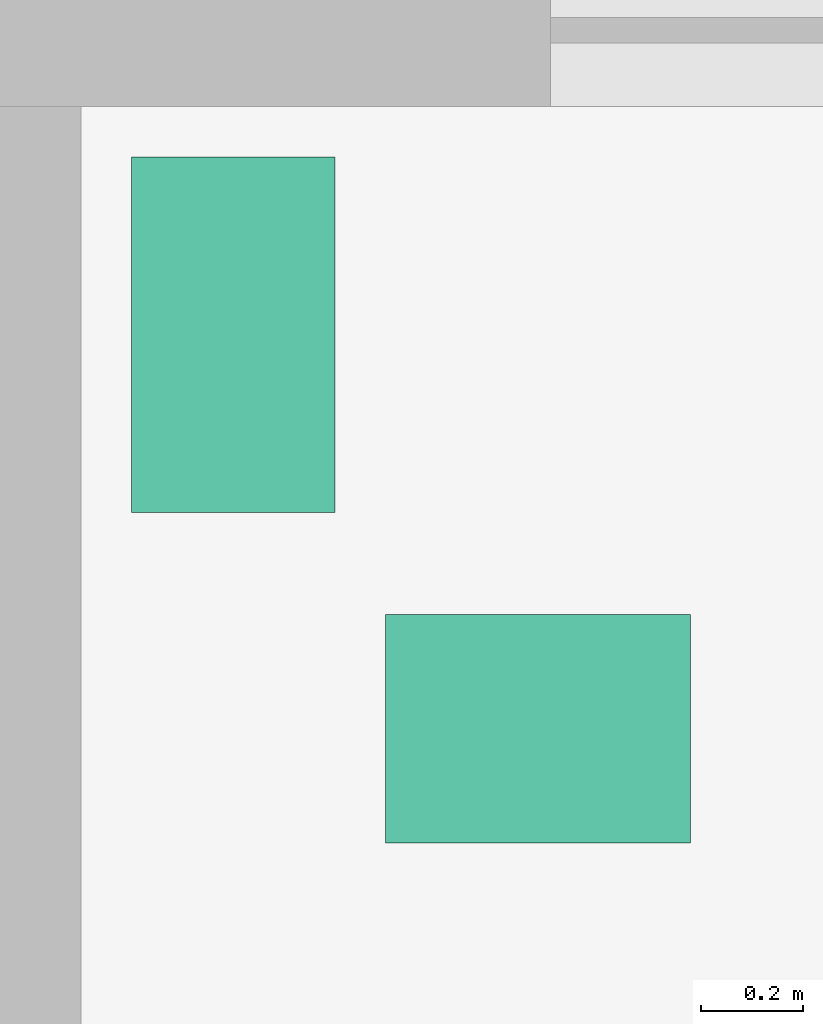
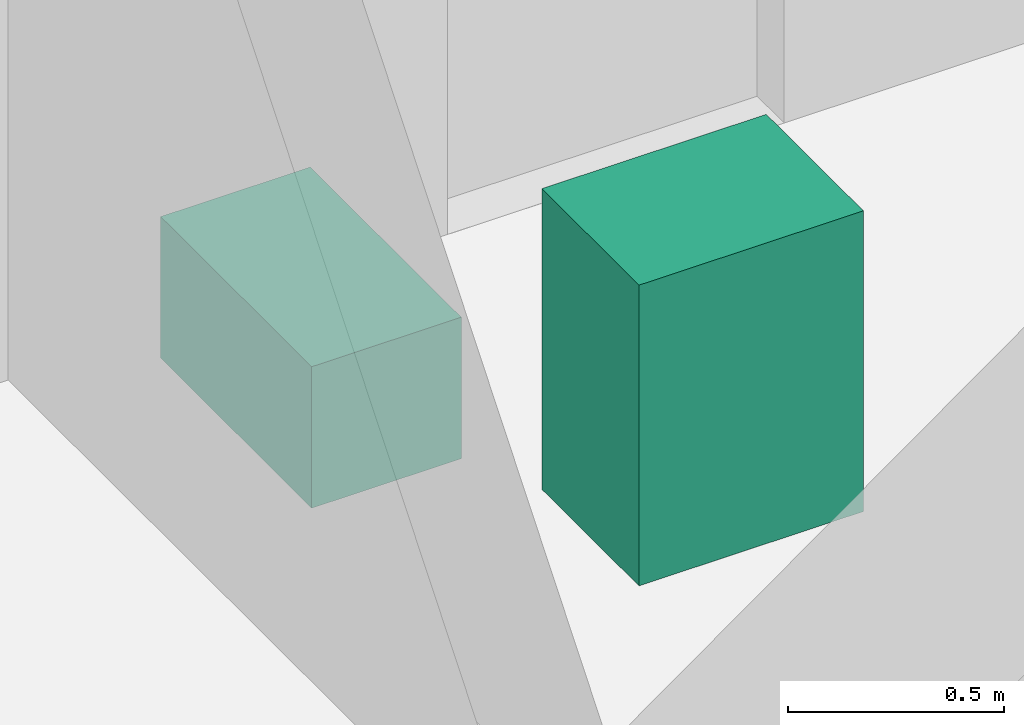
# One storey, part 12 of 12: 2 sanitary terminals.
"""IFC4 building model written with IfcOpenShell, lengths in metres."""

from ifc_helpers import new_model, si_unit, direction, frame, origin, origin_2d, place, context, subcontext, project, spatial, rectangle, extrude, element, save


model = new_model("IFC4")

# Units and contexts
model_context = context("Model", 3, precision=1e-05, world=origin(), true_north=direction((0.0, 1.0)))
body_context = subcontext(model_context, "Body", "Model", "MODEL_VIEW")
ifc_project = project(units=[si_unit("LENGTHUNIT", "METRE"), si_unit("AREAUNIT", "SQUARE_METRE"), si_unit("VOLUMEUNIT", "CUBIC_METRE"), si_unit("PLANEANGLEUNIT", "RADIAN"), si_unit("MASSUNIT", "GRAM", prefix="KILO")], contexts=[model_context])

# Site, building, storey
site_placement = place(None, origin())
site = spatial("IfcSite", under=ifc_project, at=site_placement, CompositionType="ELEMENT")
building_placement = place(site_placement, origin())
building = spatial("IfcBuilding", under=site, at=building_placement, Name="Hankou Lantern Tower", CompositionType="ELEMENT")
storey_placement = place(building_placement, frame((0.0, 0.0, 222.60009765625)))
storey = spatial("IfcBuildingStorey", under=building, at=storey_placement, Name="L60", CompositionType="ELEMENT", Elevation=222.60009765625)

# Sanitary terminals
sanitary_terminal_1_placement = place(storey_placement, frame((-2.574951171875, -2.199951171875, 0.0), z_axis=(0.0, 0.0, 1.0), x_axis=(1.0, 0.0, 0.0)))
element("IfcSanitaryTerminal", 1, at=sanitary_terminal_1_placement, inside=storey, Name="Accessible staff WC WC pan 1", PredefinedType="TOILETPAN", context=body_context, shape_type="SweptSolid", body=[
    extrude(rectangle(XDim=0.39990234375, YDim=0.699951171875, at=origin_2d()), origin(), (0.0, 0.0, 1.0), 0.39990234375),
])
sanitary_terminal_2_placement = place(storey_placement, frame((-1.97509765625, -2.97509765625, -0.000244140625), z_axis=(0.0, 0.0, 1.0), x_axis=(1.0, 0.0, 0.0)))
element("IfcSanitaryTerminal", 2, at=sanitary_terminal_2_placement, inside=storey, Name="Accessible staff WC wash basin 1", PredefinedType="WASHHANDBASIN", context=body_context, shape_type="SweptSolid", body=[
    extrude(rectangle(XDim=0.60009765625, YDim=0.449951171875, at=origin_2d()), origin(), (0.0, 0.0, 1.0), 0.85009765625),
])

save(model, "model.ifc")
